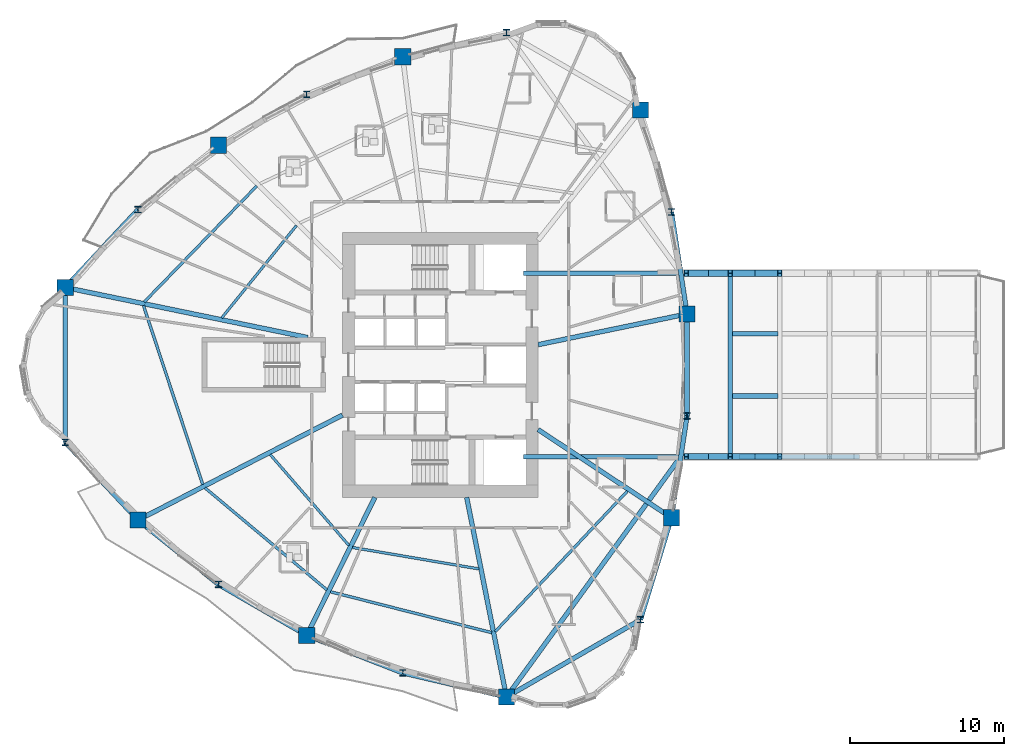
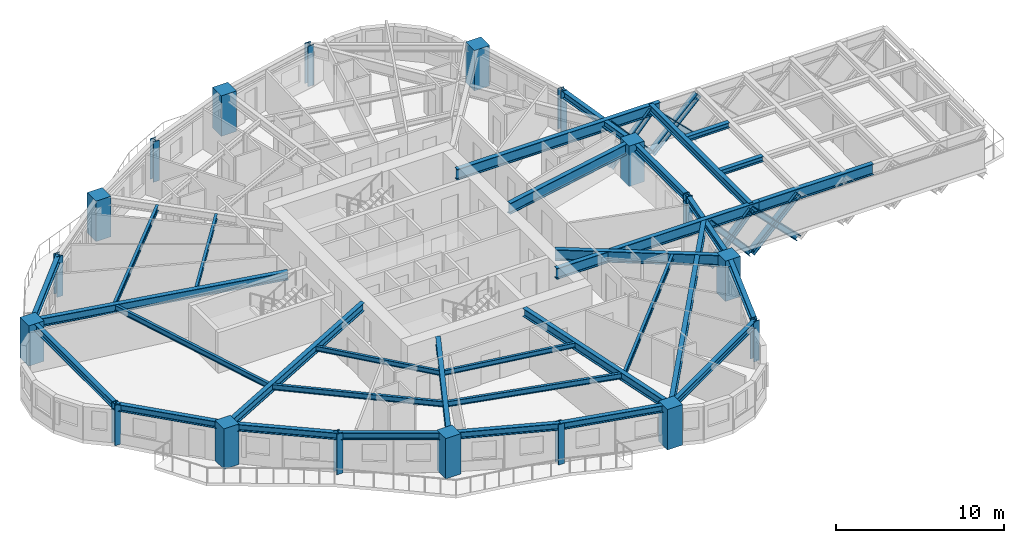
# One storey, part 1 of 16: 33 beams, 18 columns, 8 members.
"""IFC4 building model written with IfcOpenShell, lengths in metres."""

from ifc_helpers import new_model, si_unit, direction, frame, origin, origin_2d, place, context, subcontext, project, spatial, rectangle, i_section, extrude, source, transform, mapped, material, material_profile, profile_set, type_object, element, save


model = new_model("IFC4")

# Units and contexts
model_context = context("Model", 3, precision=1e-05, world=origin(), true_north=direction((0.0, 1.0)))
body_context = subcontext(model_context, "Body", "Model", "MODEL_VIEW")
ifc_project = project(units=[si_unit("LENGTHUNIT", "METRE"), si_unit("AREAUNIT", "SQUARE_METRE"), si_unit("VOLUMEUNIT", "CUBIC_METRE"), si_unit("PLANEANGLEUNIT", "RADIAN"), si_unit("MASSUNIT", "GRAM", prefix="KILO")], contexts=[model_context])

# Site, building, storey
site_placement = place(None, origin())
site = spatial("IfcSite", under=ifc_project, at=site_placement, CompositionType="ELEMENT")
building_placement = place(site_placement, origin())
building = spatial("IfcBuilding", under=site, at=building_placement, Name="Qafzar Sky-Pleat Residences", CompositionType="ELEMENT")
storey_placement = place(building_placement, frame((0.0, 0.0, 33.39990234375)))
storey = spatial("IfcBuildingStorey", under=building, at=storey_placement, Name="L09", CompositionType="ELEMENT", Elevation=33.39990234375)

# Columns
ifc_material_1 = material(Name="Concrete C60/75", Category="concrete")
ifc_material_profile_1 = material_profile(ifc_material_1, rectangle(XDim=1.050048828125, YDim=1.050048828125, at=origin_2d()), Name="RC 1050x1050")
ifc_profile_set_1 = profile_set([ifc_material_profile_1], Name="Concrete C60/75")
column_type_1 = type_object("IfcColumnType", Name="COL-RC-1050", PredefinedType="COLUMN", material=ifc_profile_set_1)
shared_shape_1 = source(origin(), body_context, "Body", "SweptSolid", [
    extrude(rectangle(XDim=1.050048828125, YDim=1.050048828125, at=origin_2d()), origin(), (0.0, 0.0, 1.0), 2.940185546875),
])
for number, where, z_axis, x_axis, name in (
    (1, (6.010009765625, 31.02294921875, 0.0), (0.0, 0.0, 1.0), (1.0, 0.0, 0.0), "L09 Perimeter Mega Column 1"),
    (2, (10.731689453125, 15.9296875, 0.0), (0.0, 0.0, 1.0), (1.0, 0.0, 0.0), "L09 Perimeter Mega Column 3"),
    (3, (21.68310546875, 8.446044921875, 0.0), (0.0, 0.0, 1.0), (1.0, 0.0, 0.0), "L09 Perimeter Mega Column 5"),
    (4, (34.64501953125, 4.444580078125, 0.0), (0.0, 0.0, 1.0), (1.0, 0.0, 0.0), "L09 Perimeter Mega Column 7"),
    (5, (45.355224609375, 16.08056640625, 0.0), (0.0, 0.0, 1.0), (1.0, 0.0, 0.0), "L09 Perimeter Mega Column 9"),
    (6, (46.360595703125, 29.306396484375, 0.0), (0.0, 0.0, 1.0), (1.0, 0.0, 0.0), "L09 Perimeter Mega Column 11"),
    (7, (43.344970703125, 42.532470703125, 0.0), (0.0, 0.0, 1.0), (1.0, 0.0, 0.0), "L09 Perimeter Mega Column 13"),
    (8, (27.912841796875, 45.989990234375, 0.0), (0.0, 0.0, 1.0), (1.0, 0.0, 0.0), "L09 Perimeter Mega Column 15"),
    (9, (15.956298828125, 40.247314453125, 0.0), (0.0, 0.0, 1.0), (1.0, 0.0, 0.0), "L09 Perimeter Mega Column 17"),
):
    element("IfcColumn", number, at=place(storey_placement, frame(where, z_axis=z_axis, x_axis=x_axis)), inside=storey, type_object=column_type_1, Name=name, PredefinedType="COLUMN", context=body_context, shape_type="MappedRepresentation", body=[
        mapped(shared_shape_1, transform((0.0, 0.0, 0.0), x_axis=(1.0, 0.0, 0.0), y_axis=(0.0, 1.0, 0.0), z_axis=(0.0, 0.0, 1.0), scale=1.0)),
    ])
ifc_material_2 = material(Name="Steel S460", Category="steel")
ifc_material_profile_2 = material_profile(ifc_material_2, i_section(OverallWidth=0.408935546875, OverallDepth=0.425048828125, WebThickness=0.030029296875, FlangeThickness=0.048095703125, FilletRadius=0.014892578125, at=origin_2d()), Name="HD 400x421")
ifc_profile_set_2 = profile_set([ifc_material_profile_2], Name="Steel S460")
column_type_2 = type_object("IfcColumnType", Name="COL-STL-HD421", PredefinedType="PILASTER", material=ifc_profile_set_2)
shared_shape_2 = source(origin(), body_context, "Body", "SweptSolid", [
    extrude(i_section(OverallWidth=0.408935546875, OverallDepth=0.425048828125, WebThickness=0.030029296875, FlangeThickness=0.048095703125, FilletRadius=0.014892578125, at=origin_2d()), origin(), (0.0, 0.0, 1.0), 2.940185546875),
])
for number, where, z_axis, x_axis, name in (
    (10, (6.010009765625, 20.97705078125, 0.0), (0.0, 0.0, 1.0), (1.0, 0.0, 0.0), "L09 Perimeter Mega Column 2"),
    (11, (15.956298828125, 11.752685546875, 0.0), (0.0, 0.0, 1.0), (1.0, 0.0, 0.0), "L09 Perimeter Mega Column 4"),
    (12, (27.912841796875, 6.010009765625, 0.0), (0.0, 0.0, 1.0), (1.0, 0.0, 0.0), "L09 Perimeter Mega Column 6"),
    (13, (43.344970703125, 9.467529296875, 0.0), (0.0, 0.0, 1.0), (1.0, 0.0, 0.0), "L09 Perimeter Mega Column 8"),
    (14, (46.360595703125, 22.693603515625, 0.0), (0.0, 0.0, 1.0), (1.0, 0.0, 0.0), "L09 Perimeter Mega Column 10"),
    (15, (45.355224609375, 35.91943359375, 0.0), (0.0, 0.0, 1.0), (1.0, 0.0, 0.0), "L09 Perimeter Mega Column 12"),
    (16, (34.64501953125, 47.555419921875, 0.0), (0.0, 0.0, 1.0), (1.0, 0.0, 0.0), "L09 Perimeter Mega Column 14"),
    (17, (21.68310546875, 43.553955078125, 0.0), (0.0, 0.0, 1.0), (1.0, 0.0, 0.0), "L09 Perimeter Mega Column 16"),
    (18, (10.731689453125, 36.0703125, 0.0), (0.0, 0.0, 1.0), (1.0, 0.0, 0.0), "L09 Perimeter Mega Column 18"),
):
    element("IfcColumn", number, at=place(storey_placement, frame(where, z_axis=z_axis, x_axis=x_axis)), inside=storey, type_object=column_type_2, Name=name, PredefinedType="PILASTER", context=body_context, shape_type="MappedRepresentation", body=[
        mapped(shared_shape_2, transform((0.0, 0.0, 0.0), x_axis=(1.0, 0.0, 0.0), y_axis=(0.0, 1.0, 0.0), z_axis=(0.0, 0.0, 1.0), scale=1.0)),
    ])

# Beams
ifc_material_3 = material(Name="Steel S355", Category="steel")
ifc_material_profile_3 = material_profile(ifc_material_3, i_section(OverallWidth=0.300048828125, OverallDepth=0.5, WebThickness=0.014404296875, FlangeThickness=0.028076171875, FilletRadius=0.027099609375, at=origin_2d()), Name="HEB 500")
ifc_profile_set_3 = profile_set([ifc_material_profile_3], Name="Steel S355")
beam_type_1 = type_object("IfcBeamType", Name="BM-SPAN-HEB500", PredefinedType="SPANDREL", material=ifc_profile_set_3)
shared_shape_3 = source(origin(), body_context, "Body", "SweptSolid", [
    extrude(i_section(OverallWidth=0.300048828125, OverallDepth=0.5, WebThickness=0.014404296875, FlangeThickness=0.028076171875, FilletRadius=0.027099609375, at=origin_2d()), origin(), (0.0, 0.0, 1.0), 10.0458984375),
])
for number, where, z_axis, x_axis, name in (
    (19, (6.010009765625, 31.02294921875, 2.68798828125), (0.0, -1.0, 0.0), (1.0, 0.0, 0.0), "L09 Perimeter Spandrel Beam 1"),
    (20, (34.64501953125, 4.444580078125, 2.68798828125), (0.866024107753, 0.500002244785, 0.0), (-0.500002244785, 0.866024107753, 0.0), "L09 Perimeter Spandrel Beam 7"),
):
    element("IfcBeam", number, at=place(storey_placement, frame(where, z_axis=z_axis, x_axis=x_axis)), inside=storey, type_object=beam_type_1, Name=name, PredefinedType="SPANDREL", context=body_context, shape_type="MappedRepresentation", body=[
        mapped(shared_shape_3, transform((0.0, 0.0, 0.0), x_axis=(1.0, 0.0, 0.0), y_axis=(0.0, 1.0, 0.0), z_axis=(0.0, 0.0, 1.0), scale=1.0)),
    ])
shared_shape_4 = source(origin(), body_context, "Body", "SweptSolid", [
    extrude(i_section(OverallWidth=0.300048828125, OverallDepth=0.5, WebThickness=0.014404296875, FlangeThickness=0.028076171875, FilletRadius=0.027099609375, at=origin_2d()), origin(), (0.0, 0.0, 1.0), 6.91162109375),
])
for number, where, z_axis, x_axis, name in (
    (21, (6.010009765625, 20.97705078125, 2.68798828125), (0.683153482739, -0.73027482431, 0.0), (0.73027482431, 0.683153482739, 0.0), "L09 Perimeter Spandrel Beam 2"),
    (22, (10.731689453125, 36.0703125, 2.68798828125), (-0.683153482739, -0.73027482431, 0.0), (0.73027482431, -0.683153482739, 0.0), "L09 Perimeter Spandrel Beam 18"),
):
    element("IfcBeam", number, at=place(storey_placement, frame(where, z_axis=z_axis, x_axis=x_axis)), inside=storey, type_object=beam_type_1, Name=name, PredefinedType="SPANDREL", context=body_context, shape_type="MappedRepresentation", body=[
        mapped(shared_shape_4, transform((0.0, 0.0, 0.0), x_axis=(1.0, 0.0, 0.0), y_axis=(0.0, 1.0, 0.0), z_axis=(0.0, 0.0, 1.0), scale=1.0)),
    ])
shared_shape_5 = source(origin(), body_context, "Body", "SweptSolid", [
    extrude(i_section(OverallWidth=0.300048828125, OverallDepth=0.5, WebThickness=0.014404296875, FlangeThickness=0.028076171875, FilletRadius=0.027099609375, at=origin_2d()), origin(), (0.0, 0.0, 1.0), 6.689208984375),
])
beam_1_placement = place(storey_placement, frame((10.731689453125, 15.9296875, 2.68798828125), z_axis=(0.781064615855, -0.624450210872, 0.0), x_axis=(0.624450210872, 0.781064615855, 0.0)))
element("IfcBeam", 23, at=beam_1_placement, inside=storey, type_object=beam_type_1, Name="L09 Perimeter Spandrel Beam 3", PredefinedType="SPANDREL", context=body_context, shape_type="MappedRepresentation", body=[
    mapped(shared_shape_5, transform((0.0, 0.0, 0.0), x_axis=(1.0, 0.0, 0.0), y_axis=(0.0, 1.0, 0.0), z_axis=(0.0, 0.0, 1.0), scale=1.0)),
])
shared_shape_6 = source(origin(), body_context, "Body", "SweptSolid", [
    extrude(i_section(OverallWidth=0.300048828125, OverallDepth=0.5, WebThickness=0.014404296875, FlangeThickness=0.028076171875, FilletRadius=0.027099609375, at=origin_2d()), origin(), (0.0, 0.0, 1.0), 6.61279296875),
])
for number, where, z_axis, x_axis, name in (
    (24, (15.956298828125, 11.752685546875, 2.68798828125), (0.866007902399, -0.500030312064, 0.0), (0.500030312064, 0.866007902399, 0.0), "L09 Perimeter Spandrel Beam 4"),
    (25, (46.360595703125, 22.693603515625, 2.68798828125), (0.0, 1.0, 0.0), (-1.0, 0.0, 0.0), "L09 Perimeter Spandrel Beam 10"),
):
    element("IfcBeam", number, at=place(storey_placement, frame(where, z_axis=z_axis, x_axis=x_axis)), inside=storey, type_object=beam_type_1, Name=name, PredefinedType="SPANDREL", context=body_context, shape_type="MappedRepresentation", body=[
        mapped(shared_shape_6, transform((0.0, 0.0, 0.0), x_axis=(1.0, 0.0, 0.0), y_axis=(0.0, 1.0, 0.0), z_axis=(0.0, 0.0, 1.0), scale=1.0)),
    ])
shared_shape_7 = source(origin(), body_context, "Body", "SweptSolid", [
    extrude(i_section(OverallWidth=0.300048828125, OverallDepth=0.5, WebThickness=0.014404296875, FlangeThickness=0.028076171875, FilletRadius=0.027099609375, at=origin_2d()), origin(), (0.0, 0.0, 1.0), 6.68896484375),
])
for number, where, z_axis, x_axis, name in (
    (26, (21.68310546875, 8.446044921875, 2.68798828125), (0.931328375536, -0.364180527927, 0.0), (0.364180527927, 0.931328375536, 0.0), "L09 Perimeter Spandrel Beam 5"),
    (27, (45.355224609375, 16.08056640625, 2.68798828125), (0.150301631431, 0.98864018712, 0.0), (-0.98864018712, 0.150301631431, 0.0), "L09 Perimeter Spandrel Beam 9"),
    (28, (46.360595703125, 29.306396484375, 2.68798828125), (-0.150301631431, 0.98864018712, 0.0), (-0.98864018712, -0.150301631431, 0.0), "L09 Perimeter Spandrel Beam 11"),
):
    element("IfcBeam", number, at=place(storey_placement, frame(where, z_axis=z_axis, x_axis=x_axis)), inside=storey, type_object=beam_type_1, Name=name, PredefinedType="SPANDREL", context=body_context, shape_type="MappedRepresentation", body=[
        mapped(shared_shape_7, transform((0.0, 0.0, 0.0), x_axis=(1.0, 0.0, 0.0), y_axis=(0.0, 1.0, 0.0), z_axis=(0.0, 0.0, 1.0), scale=1.0)),
    ])
shared_shape_8 = source(origin(), body_context, "Body", "SweptSolid", [
    extrude(i_section(OverallWidth=0.300048828125, OverallDepth=0.5, WebThickness=0.014404296875, FlangeThickness=0.028076171875, FilletRadius=0.027099609375, at=origin_2d()), origin(), (0.0, 0.0, 1.0), 6.911865234375),
])
for number, where, z_axis, x_axis, name in (
    (29, (27.912841796875, 6.010009765625, 2.68798828125), (0.97401418861, -0.226486998273, 0.0), (0.226486998273, 0.97401418861, 0.0), "L09 Perimeter Spandrel Beam 6"),
    (30, (43.344970703125, 9.467529296875, 2.68798828125), (0.290842539179, 0.956770932566, 0.0), (-0.956770932566, 0.290842539179, 0.0), "L09 Perimeter Spandrel Beam 8"),
):
    element("IfcBeam", number, at=place(storey_placement, frame(where, z_axis=z_axis, x_axis=x_axis)), inside=storey, type_object=beam_type_1, Name=name, PredefinedType="SPANDREL", context=body_context, shape_type="MappedRepresentation", body=[
        mapped(shared_shape_8, transform((0.0, 0.0, 0.0), x_axis=(1.0, 0.0, 0.0), y_axis=(0.0, 1.0, 0.0), z_axis=(0.0, 0.0, 1.0), scale=1.0)),
    ])
ifc_material_profile_4 = material_profile(ifc_material_3, i_section(OverallWidth=0.300048828125, OverallDepth=0.60009765625, WebThickness=0.015380859375, FlangeThickness=0.030029296875, FilletRadius=0.027099609375, at=origin_2d()), Name="HEB 600")
ifc_profile_set_4 = profile_set([ifc_material_profile_4], Name="Steel S355")
beam_type_2 = type_object("IfcBeamType", Name="BM-GIRD-HEB600", PredefinedType="BEAM", material=ifc_profile_set_4)
shared_shape_9 = source(origin(), body_context, "Body", "SweptSolid", [
    extrude(i_section(OverallWidth=0.300048828125, OverallDepth=0.60009765625, WebThickness=0.015380859375, FlangeThickness=0.030029296875, FilletRadius=0.027099609375, at=origin_2d()), origin(), (0.0, 0.0, 1.0), 16.0703125),
])
beam_2_placement = place(storey_placement, frame((6.010009765625, 31.02294921875, 2.63818359375), z_axis=(0.979362152627, -0.202113270228, 0.0), x_axis=(0.202113270228, 0.979362152627, 0.0)))
element("IfcBeam", 31, at=beam_2_placement, inside=storey, type_object=beam_type_2, Name="L09 Radial Floor Girder 1", PredefinedType="BEAM", context=body_context, shape_type="MappedRepresentation", body=[
    mapped(shared_shape_9, transform((0.0, 0.0, 0.0), x_axis=(1.0, 0.0, 0.0), y_axis=(0.0, 1.0, 0.0), z_axis=(0.0, 0.0, 1.0), scale=1.0)),
])
shared_shape_10 = source(origin(), body_context, "Body", "SweptSolid", [
    extrude(i_section(OverallWidth=0.300048828125, OverallDepth=0.60009765625, WebThickness=0.015380859375, FlangeThickness=0.030029296875, FilletRadius=0.027099609375, at=origin_2d()), origin(), (0.0, 0.0, 1.0), 14.914306640625),
])
beam_3_placement = place(storey_placement, frame((10.731689453125, 15.9296875, 2.63818359375), z_axis=(0.8896396388, 0.456663238148, 0.0), x_axis=(-0.456663238148, 0.8896396388, 0.0)))
element("IfcBeam", 32, at=beam_3_placement, inside=storey, type_object=beam_type_2, Name="L09 Radial Floor Girder 3", PredefinedType="BEAM", context=body_context, shape_type="MappedRepresentation", body=[
    mapped(shared_shape_10, transform((0.0, 0.0, 0.0), x_axis=(1.0, 0.0, 0.0), y_axis=(0.0, 1.0, 0.0), z_axis=(0.0, 0.0, 1.0), scale=1.0)),
])
shared_shape_11 = source(origin(), body_context, "Body", "SweptSolid", [
    extrude(i_section(OverallWidth=0.300048828125, OverallDepth=0.60009765625, WebThickness=0.015380859375, FlangeThickness=0.030029296875, FilletRadius=0.027099609375, at=origin_2d()), origin(), (0.0, 0.0, 1.0), 9.98583984375),
])
beam_4_placement = place(storey_placement, frame((21.68310546875, 8.446044921875, 2.63818359375), z_axis=(0.442719160925, 0.896660328413, 0.0), x_axis=(-0.896660328413, 0.442719160925, 0.0)))
element("IfcBeam", 33, at=beam_4_placement, inside=storey, type_object=beam_type_2, Name="L09 Radial Floor Girder 5", PredefinedType="BEAM", context=body_context, shape_type="MappedRepresentation", body=[
    mapped(shared_shape_11, transform((0.0, 0.0, 0.0), x_axis=(1.0, 0.0, 0.0), y_axis=(0.0, 1.0, 0.0), z_axis=(0.0, 0.0, 1.0), scale=1.0)),
])
shared_shape_12 = source(origin(), body_context, "Body", "SweptSolid", [
    extrude(i_section(OverallWidth=0.300048828125, OverallDepth=0.60009765625, WebThickness=0.015380859375, FlangeThickness=0.030029296875, FilletRadius=0.027099609375, at=origin_2d()), origin(), (0.0, 0.0, 1.0), 13.2099609375),
])
beam_5_placement = place(storey_placement, frame((34.64501953125, 4.444580078125, 2.63818359375), z_axis=(-0.195405255392, 0.980722583693, 0.0), x_axis=(-0.980722583693, -0.195405255392, 0.0)))
element("IfcBeam", 34, at=beam_5_placement, inside=storey, type_object=beam_type_2, Name="L09 Radial Floor Girder 7", PredefinedType="BEAM", context=body_context, shape_type="MappedRepresentation", body=[
    mapped(shared_shape_12, transform((0.0, 0.0, 0.0), x_axis=(1.0, 0.0, 0.0), y_axis=(0.0, 1.0, 0.0), z_axis=(0.0, 0.0, 1.0), scale=1.0)),
])
ifc_material_profile_5 = material_profile(ifc_material_2, i_section(OverallWidth=0.300048828125, OverallDepth=0.800048828125, WebThickness=0.017578125, FlangeThickness=0.032958984375, FilletRadius=0.030029296875, at=origin_2d()), Name="HEB 800")
ifc_profile_set_5 = profile_set([ifc_material_profile_5], Name="Steel S460")
beam_type_3 = type_object("IfcBeamType", Name="BM-CHORD-HEB800", PredefinedType="BEAM", material=ifc_profile_set_5)
shared_shape_13 = source(origin(), body_context, "Body", "SweptSolid", [
    extrude(i_section(OverallWidth=0.300048828125, OverallDepth=0.800048828125, WebThickness=0.017578125, FlangeThickness=0.032958984375, FilletRadius=0.030029296875, at=origin_2d()), origin(), (0.0, 0.0, 1.0), 10.37548828125),
])
beam_6_placement = place(storey_placement, frame((45.355224609375, 16.08056640625, 2.5380859375), z_axis=(-0.834201561664, 0.551459658105, 0.0), x_axis=(-0.551459658105, -0.834201561664, 0.0)))
element("IfcBeam", 35, at=beam_6_placement, inside=storey, type_object=beam_type_3, Name="L09 Radial Floor Girder 9", PredefinedType="BEAM", context=body_context, shape_type="MappedRepresentation", body=[
    mapped(shared_shape_13, transform((0.0, 0.0, 0.0), x_axis=(1.0, 0.0, 0.0), y_axis=(0.0, 1.0, 0.0), z_axis=(0.0, 0.0, 1.0), scale=1.0)),
])
shared_shape_14 = source(origin(), body_context, "Body", "SweptSolid", [
    extrude(i_section(OverallWidth=0.300048828125, OverallDepth=0.800048828125, WebThickness=0.017578125, FlangeThickness=0.032958984375, FilletRadius=0.030029296875, at=origin_2d()), origin(), (0.0, 0.0, 1.0), 9.864501953125),
])
beam_7_placement = place(storey_placement, frame((46.360595703125, 29.306396484375, 2.5380859375), z_axis=(-0.979333503266, -0.202252044192, 0.0), x_axis=(0.202252044192, -0.979333503266, 0.0)))
element("IfcBeam", 36, at=beam_7_placement, inside=storey, type_object=beam_type_3, Name="L09 Radial Floor Girder 11", PredefinedType="BEAM", context=body_context, shape_type="MappedRepresentation", body=[
    mapped(shared_shape_14, transform((0.0, 0.0, 0.0), x_axis=(1.0, 0.0, 0.0), y_axis=(0.0, 1.0, 0.0), z_axis=(0.0, 0.0, 1.0), scale=1.0)),
])
ifc_material_profile_6 = material_profile(ifc_material_3, i_section(OverallWidth=0.179931640625, OverallDepth=0.39990234375, WebThickness=0.008544921875, FlangeThickness=0.013427734375, FilletRadius=0.02099609375, at=origin_2d()), Name="IPE 400")
ifc_profile_set_6 = profile_set([ifc_material_profile_6], Name="Steel S355")
beam_type_4 = type_object("IfcBeamType", Name="BM-JST-IPE400", PredefinedType="JOIST", material=ifc_profile_set_6)
shared_shape_15 = source(origin(), body_context, "Body", "SweptSolid", [
    extrude(i_section(OverallWidth=0.179931640625, OverallDepth=0.39990234375, WebThickness=0.008544921875, FlangeThickness=0.013427734375, FilletRadius=0.02099609375, at=origin_2d()), origin(), (0.0, 0.0, 1.0), 12.23828125),
])
beam_8_placement = place(storey_placement, frame((11.0888671875, 29.85546875, 2.738037109375), z_axis=(0.31429406639, -0.949325676379, 0.0), x_axis=(0.949325676379, 0.31429406639, 0.0)))
element("IfcBeam", 37, at=beam_8_placement, inside=storey, type_object=beam_type_4, Name="L09 Outer Secondary Floor Joist 1", PredefinedType="JOIST", context=body_context, shape_type="MappedRepresentation", body=[
    mapped(shared_shape_15, transform((0.0, 0.0, 0.0), x_axis=(1.0, 0.0, 0.0), y_axis=(0.0, 1.0, 0.0), z_axis=(0.0, 0.0, 1.0), scale=1.0)),
])
shared_shape_16 = source(origin(), body_context, "Body", "SweptSolid", [
    extrude(i_section(OverallWidth=0.179931640625, OverallDepth=0.39990234375, WebThickness=0.008544921875, FlangeThickness=0.013427734375, FilletRadius=0.02099609375, at=origin_2d()), origin(), (0.0, 0.0, 1.0), 10.320068359375),
])
beam_9_placement = place(storey_placement, frame((15.0810546875, 18.0224609375, 2.738037109375), z_axis=(0.766786376257, -0.641902370448, 0.0), x_axis=(0.641902370448, 0.766786376257, 0.0)))
element("IfcBeam", 38, at=beam_9_placement, inside=storey, type_object=beam_type_4, Name="L09 Outer Secondary Floor Joist 2", PredefinedType="JOIST", context=body_context, shape_type="MappedRepresentation", body=[
    mapped(shared_shape_16, transform((0.0, 0.0, 0.0), x_axis=(1.0, 0.0, 0.0), y_axis=(0.0, 1.0, 0.0), z_axis=(0.0, 0.0, 1.0), scale=1.0)),
])
shared_shape_17 = source(origin(), body_context, "Body", "SweptSolid", [
    extrude(i_section(OverallWidth=0.179931640625, OverallDepth=0.39990234375, WebThickness=0.008544921875, FlangeThickness=0.013427734375, FilletRadius=0.02099609375, at=origin_2d()), origin(), (0.0, 0.0, 1.0), 10.790771484375),
])
beam_10_placement = place(storey_placement, frame((23.228759765625, 11.278076171875, 2.738037109375), z_axis=(0.969269912633, -0.24599966761, 0.0), x_axis=(0.24599966761, 0.969269912633, 0.0)))
element("IfcBeam", 39, at=beam_10_placement, inside=storey, type_object=beam_type_4, Name="L09 Outer Secondary Floor Joist 3", PredefinedType="JOIST", context=body_context, shape_type="MappedRepresentation", body=[
    mapped(shared_shape_17, transform((0.0, 0.0, 0.0), x_axis=(1.0, 0.0, 0.0), y_axis=(0.0, 1.0, 0.0), z_axis=(0.0, 0.0, 1.0), scale=1.0)),
])
shared_shape_18 = source(origin(), body_context, "Body", "SweptSolid", [
    extrude(i_section(OverallWidth=0.179931640625, OverallDepth=0.39990234375, WebThickness=0.008544921875, FlangeThickness=0.013427734375, FilletRadius=0.02099609375, at=origin_2d()), origin(), (0.0, 0.0, 1.0), 12.52587890625),
])
beam_11_placement = place(storey_placement, frame((33.911376953125, 8.688720703125, 2.738037109375), z_axis=(0.685120864749, 0.728429406796, 0.0), x_axis=(-0.728429406796, 0.685120864749, 0.0)))
element("IfcBeam", 40, at=beam_11_placement, inside=storey, type_object=beam_type_4, Name="L09 Outer Secondary Floor Joist 4", PredefinedType="JOIST", context=body_context, shape_type="MappedRepresentation", body=[
    mapped(shared_shape_18, transform((0.0, 0.0, 0.0), x_axis=(1.0, 0.0, 0.0), y_axis=(0.0, 1.0, 0.0), z_axis=(0.0, 0.0, 1.0), scale=1.0)),
])
shared_shape_19 = source(origin(), body_context, "Body", "SweptSolid", [
    extrude(i_section(OverallWidth=0.179931640625, OverallDepth=0.39990234375, WebThickness=0.008544921875, FlangeThickness=0.013427734375, FilletRadius=0.02099609375, at=origin_2d()), origin(), (0.0, 0.0, 1.0), 10.479248046875),
])
beam_12_placement = place(storey_placement, frame((18.436279296875, 37.602783203125, 2.738037109375), z_axis=(-0.696225879391, -0.71782276703, 0.0), x_axis=(0.71782276703, -0.696225879391, 0.0)))
element("IfcBeam", 41, at=beam_12_placement, inside=storey, type_object=beam_type_4, Name="L09 Outer Secondary Floor Joist 9", PredefinedType="JOIST", context=body_context, shape_type="MappedRepresentation", body=[
    mapped(shared_shape_19, transform((0.0, 0.0, 0.0), x_axis=(1.0, 0.0, 0.0), y_axis=(0.0, 1.0, 0.0), z_axis=(0.0, 0.0, 1.0), scale=1.0)),
])
ifc_material_profile_7 = material_profile(ifc_material_3, i_section(OverallWidth=0.169921875, OverallDepth=0.360107421875, WebThickness=0.008056640625, FlangeThickness=0.0126953125, FilletRadius=0.01806640625, at=origin_2d()), Name="IPE 360")
ifc_profile_set_7 = profile_set([ifc_material_profile_7], Name="Steel S355")
beam_type_5 = type_object("IfcBeamType", Name="BM-JST-IPE360", PredefinedType="JOIST", material=ifc_profile_set_7)
shared_shape_20 = source(origin(), body_context, "Body", "SweptSolid", [
    extrude(i_section(OverallWidth=0.169921875, OverallDepth=0.360107421875, WebThickness=0.008056640625, FlangeThickness=0.0126953125, FilletRadius=0.01806640625, at=origin_2d()), origin(), (0.0, 0.0, 1.0), 7.8125),
])
beam_13_placement = place(storey_placement, frame((19.311767578125, 20.186279296875, 2.758056640625), z_axis=(0.654399766745, -0.7561487587, 0.0), x_axis=(0.7561487587, 0.654399766745, 0.0)))
element("IfcBeam", 42, at=beam_13_placement, inside=storey, type_object=beam_type_5, Name="L09 Inner Secondary Floor Joist 2", PredefinedType="JOIST", context=body_context, shape_type="MappedRepresentation", body=[
    mapped(shared_shape_20, transform((0.0, 0.0, 0.0), x_axis=(1.0, 0.0, 0.0), y_axis=(0.0, 1.0, 0.0), z_axis=(0.0, 0.0, 1.0), scale=1.0)),
])
shared_shape_21 = source(origin(), body_context, "Body", "SweptSolid", [
    extrude(i_section(OverallWidth=0.169921875, OverallDepth=0.360107421875, WebThickness=0.008056640625, FlangeThickness=0.0126953125, FilletRadius=0.01806640625, at=origin_2d()), origin(), (0.0, 0.0, 1.0), 8.33203125),
])
beam_14_placement = place(storey_placement, frame((24.6455078125, 14.154052734375, 2.758056640625), z_axis=(0.985879172395, -0.167458225948, 0.0), x_axis=(0.167458225948, 0.985879172395, 0.0)))
element("IfcBeam", 43, at=beam_14_placement, inside=storey, type_object=beam_type_5, Name="L09 Inner Secondary Floor Joist 3", PredefinedType="JOIST", context=body_context, shape_type="MappedRepresentation", body=[
    mapped(shared_shape_21, transform((0.0, 0.0, 0.0), x_axis=(1.0, 0.0, 0.0), y_axis=(0.0, 1.0, 0.0), z_axis=(0.0, 0.0, 1.0), scale=1.0)),
])
shared_shape_22 = source(origin(), body_context, "Body", "SweptSolid", [
    extrude(i_section(OverallWidth=0.169921875, OverallDepth=0.360107421875, WebThickness=0.008056640625, FlangeThickness=0.0126953125, FilletRadius=0.01806640625, at=origin_2d()), origin(), (0.0, 0.0, 1.0), 7.714111328125),
])
beam_15_placement = place(storey_placement, frame((21.019287109375, 35.046875, 2.758056640625), z_axis=(-0.628915953296, -0.777473294519, 0.0), x_axis=(0.777473294519, -0.628915953296, 0.0)))
element("IfcBeam", 44, at=beam_15_placement, inside=storey, type_object=beam_type_5, Name="L09 Inner Secondary Floor Joist 9", PredefinedType="JOIST", context=body_context, shape_type="MappedRepresentation", body=[
    mapped(shared_shape_22, transform((0.0, 0.0, 0.0), x_axis=(1.0, 0.0, 0.0), y_axis=(0.0, 1.0, 0.0), z_axis=(0.0, 0.0, 1.0), scale=1.0)),
])
shared_shape_23 = source(origin(), body_context, "Body", "SweptSolid", [
    extrude(i_section(OverallWidth=0.300048828125, OverallDepth=0.800048828125, WebThickness=0.017578125, FlangeThickness=0.032958984375, FilletRadius=0.030029296875, at=origin_2d()), origin(), (0.0, 0.0, 1.0), 14.0048828125),
])
for number, where, z_axis, x_axis, name in (
    (45, (35.75, 31.949951171875, 2.5380859375), (1.0, 0.0, 0.0), (0.0, 1.0, 0.0), "L09 SB-1 Truss Chord L1"),
    (46, (35.75, 20.050048828125, 2.5380859375), (1.0, 0.0, 0.0), (0.0, 1.0, 0.0), "L09 SB-1 Truss Chord R1"),
):
    element("IfcBeam", number, at=place(storey_placement, frame(where, z_axis=z_axis, x_axis=x_axis)), inside=storey, type_object=beam_type_3, Name=name, PredefinedType="BEAM", context=body_context, shape_type="MappedRepresentation", body=[
        mapped(shared_shape_23, transform((0.0, 0.0, 0.0), x_axis=(1.0, 0.0, 0.0), y_axis=(0.0, 1.0, 0.0), z_axis=(0.0, 0.0, 1.0), scale=1.0)),
    ])
shared_shape_24 = source(origin(), body_context, "Body", "SweptSolid", [
    extrude(i_section(OverallWidth=0.300048828125, OverallDepth=0.800048828125, WebThickness=0.017578125, FlangeThickness=0.032958984375, FilletRadius=0.030029296875, at=origin_2d()), origin(), (0.0, 0.0, 1.0), 7.809814453125),
])
beam_16_placement = place(storey_placement, frame((49.7451171875, 20.050048828125, 2.5380859375), z_axis=(1.0, 0.0, 0.0), x_axis=(0.0, 1.0, 0.0)))
element("IfcBeam", 47, at=beam_16_placement, inside=storey, type_object=beam_type_3, Name="L09 SB-1 Truss Chord R2", PredefinedType="BEAM", context=body_context, shape_type="MappedRepresentation", body=[
    mapped(shared_shape_24, transform((0.0, 0.0, 0.0), x_axis=(1.0, 0.0, 0.0), y_axis=(0.0, 1.0, 0.0), z_axis=(0.0, 0.0, 1.0), scale=1.0)),
])
shared_shape_25 = source(origin(), body_context, "Body", "SweptSolid", [
    extrude(i_section(OverallWidth=0.300048828125, OverallDepth=0.800048828125, WebThickness=0.017578125, FlangeThickness=0.032958984375, FilletRadius=0.030029296875, at=origin_2d()), origin(), (0.0, 0.0, 1.0), 19.27001953125),
])
beam_17_placement = place(storey_placement, frame((34.64501953125, 4.444580078125, 2.5380859375), z_axis=(0.586660264458, 0.809833152017, 0.0), x_axis=(-0.809833152017, 0.586660264458, 0.0)))
element("IfcBeam", 48, at=beam_17_placement, inside=storey, type_object=beam_type_3, Name="L09 SB-1 Wing-Belt Top Chord R", PredefinedType="BEAM", context=body_context, shape_type="MappedRepresentation", body=[
    mapped(shared_shape_25, transform((0.0, 0.0, 0.0), x_axis=(1.0, 0.0, 0.0), y_axis=(0.0, 1.0, 0.0), z_axis=(0.0, 0.0, 1.0), scale=1.0)),
])
ifc_material_profile_8 = material_profile(ifc_material_3, i_section(OverallWidth=0.300048828125, OverallDepth=0.550048828125, WebThickness=0.014892578125, FlangeThickness=0.029052734375, FilletRadius=0.027099609375, at=origin_2d()), Name="HEB 550")
ifc_profile_set_8 = profile_set([ifc_material_profile_8], Name="Steel S355")
beam_type_6 = type_object("IfcBeamType", Name="BM-GIRD-HEB550", PredefinedType="BEAM", material=ifc_profile_set_8)
shared_shape_26 = source(origin(), body_context, "Body", "SweptSolid", [
    extrude(i_section(OverallWidth=0.300048828125, OverallDepth=0.550048828125, WebThickness=0.014892578125, FlangeThickness=0.029052734375, FilletRadius=0.027099609375, at=origin_2d()), origin(), (0.0, 0.0, 1.0), 11.89990234375),
])
beam_18_placement = place(storey_placement, frame((49.16748046875, 31.949951171875, 2.68798828125), z_axis=(0.0, -1.0, 0.0), x_axis=(1.0, 0.0, 0.0)))
element("IfcBeam", 49, at=beam_18_placement, inside=storey, type_object=beam_type_6, Name="L09 SB-1 Transverse Girder 1", PredefinedType="BEAM", context=body_context, shape_type="MappedRepresentation", body=[
    mapped(shared_shape_26, transform((0.0, 0.0, 0.0), x_axis=(1.0, 0.0, 0.0), y_axis=(0.0, 1.0, 0.0), z_axis=(0.0, 0.0, 1.0), scale=1.0)),
])
ifc_material_profile_9 = material_profile(ifc_material_3, i_section(OverallWidth=0.300048828125, OverallDepth=0.389892578125, WebThickness=0.010986328125, FlangeThickness=0.01904296875, FilletRadius=0.027099609375, at=origin_2d()), Name="HEA 400")
ifc_profile_set_9 = profile_set([ifc_material_profile_9], Name="Steel S355")
beam_type_7 = type_object("IfcBeamType", Name="BM-SBJ-HEA400", PredefinedType="JOIST", material=ifc_profile_set_9)
shared_shape_27 = source(origin(), body_context, "Body", "SweptSolid", [
    extrude(i_section(OverallWidth=0.300048828125, OverallDepth=0.389892578125, WebThickness=0.010986328125, FlangeThickness=0.01904296875, FilletRadius=0.027099609375, at=origin_2d()), origin(), (0.0, 0.0, 1.0), 2.947265625),
])
for number, where, z_axis, x_axis, name in (
    (50, (49.302490234375, 23.97705078125, 2.76806640625), (1.0, 0.0, 0.0), (0.0, 1.0, 0.0), "L09 SB-1 Sky-Bar Secondary Deck Joist 2.1"),
    (51, (49.302490234375, 28.02294921875, 2.76806640625), (1.0, 0.0, 0.0), (0.0, 1.0, 0.0), "L09 SB-1 Sky-Bar Secondary Deck Joist 2.2"),
):
    element("IfcBeam", number, at=place(storey_placement, frame(where, z_axis=z_axis, x_axis=x_axis)), inside=storey, type_object=beam_type_7, Name=name, PredefinedType="JOIST", context=body_context, shape_type="MappedRepresentation", body=[
        mapped(shared_shape_27, transform((0.0, 0.0, 0.0), x_axis=(1.0, 0.0, 0.0), y_axis=(0.0, 1.0, 0.0), z_axis=(0.0, 0.0, 1.0), scale=1.0)),
    ])

# Members
ifc_material_profile_10 = material_profile(ifc_material_2, i_section(OverallWidth=0.40087890625, OverallDepth=0.39892578125, WebThickness=0.02294921875, FlangeThickness=0.035888671875, FilletRadius=0.014892578125, at=origin_2d()), Name="HD 400x314")
ifc_profile_set_10 = profile_set([ifc_material_profile_10], Name="Steel S460")
member_type = type_object("IfcMemberType", Name="MEM-SB-DIAG", PredefinedType="BRACE", material=ifc_profile_set_10)
shared_shape_28 = source(origin(), body_context, "Body", "SweptSolid", [
    extrude(i_section(OverallWidth=0.40087890625, OverallDepth=0.39892578125, WebThickness=0.02294921875, FlangeThickness=0.035888671875, FilletRadius=0.014892578125, at=origin_2d()), origin(), (0.0, 0.0, 1.0), 4.2939453125),
])
for number, where, z_axis, x_axis, name in (
    (52, (46.31005859375, 31.949951171875, -0.6669921875), (0.665464199439, 0.0, 0.746429768475), (0.0, 1.0, 0.0), "L09 SB-1 Truss Web Diagonal L1A"),
    (53, (46.31005859375, 31.949951171875, 2.5380859375), (0.665464199439, 0.0, -0.746429768475), (0.0, 1.0, 0.0), "L09 SB-1 Truss Web Diagonal L1B"),
    (54, (46.31005859375, 20.050048828125, -0.6669921875), (0.665464199439, 0.0, 0.746429768475), (0.0, 1.0, 0.0), "L09 SB-1 Truss Web Diagonal R1A"),
    (55, (46.31005859375, 20.050048828125, 2.5380859375), (0.665464199439, 0.0, -0.746429768475), (0.0, 1.0, 0.0), "L09 SB-1 Truss Web Diagonal R1B"),
):
    element("IfcMember", number, at=place(storey_placement, frame(where, z_axis=z_axis, x_axis=x_axis)), inside=storey, type_object=member_type, Name=name, PredefinedType="BRACE", context=body_context, shape_type="MappedRepresentation", body=[
        mapped(shared_shape_28, transform((0.0, 0.0, 0.0), x_axis=(1.0, 0.0, 0.0), y_axis=(0.0, 1.0, 0.0), z_axis=(0.0, 0.0, 1.0), scale=1.0)),
    ])
shared_shape_29 = source(origin(), body_context, "Body", "SweptSolid", [
    extrude(i_section(OverallWidth=0.40087890625, OverallDepth=0.39892578125, WebThickness=0.02294921875, FlangeThickness=0.035888671875, FilletRadius=0.014892578125, at=origin_2d()), origin(), (0.0, 0.0, 1.0), 4.541259765625),
])
for number, where, z_axis, x_axis, name in (
    (56, (49.16748046875, 31.949951171875, -0.6669921875), (0.708449504338, 0.0, 0.705761503487), (0.0, 1.0, 0.0), "L09 SB-1 Truss Web Diagonal L2A"),
    (57, (49.16748046875, 31.949951171875, 2.5380859375), (0.708449504338, 0.0, -0.705761503487), (0.0, 1.0, 0.0), "L09 SB-1 Truss Web Diagonal L2B"),
    (58, (49.16748046875, 20.050048828125, -0.6669921875), (0.708449504338, 0.0, 0.705761503487), (0.0, 1.0, 0.0), "L09 SB-1 Truss Web Diagonal R2A"),
    (59, (49.16748046875, 20.050048828125, 2.5380859375), (0.708449504338, 0.0, -0.705761503487), (0.0, 1.0, 0.0), "L09 SB-1 Truss Web Diagonal R2B"),
):
    element("IfcMember", number, at=place(storey_placement, frame(where, z_axis=z_axis, x_axis=x_axis)), inside=storey, type_object=member_type, Name=name, PredefinedType="BRACE", context=body_context, shape_type="MappedRepresentation", body=[
        mapped(shared_shape_29, transform((0.0, 0.0, 0.0), x_axis=(1.0, 0.0, 0.0), y_axis=(0.0, 1.0, 0.0), z_axis=(0.0, 0.0, 1.0), scale=1.0)),
    ])

save(model, "model.ifc")
